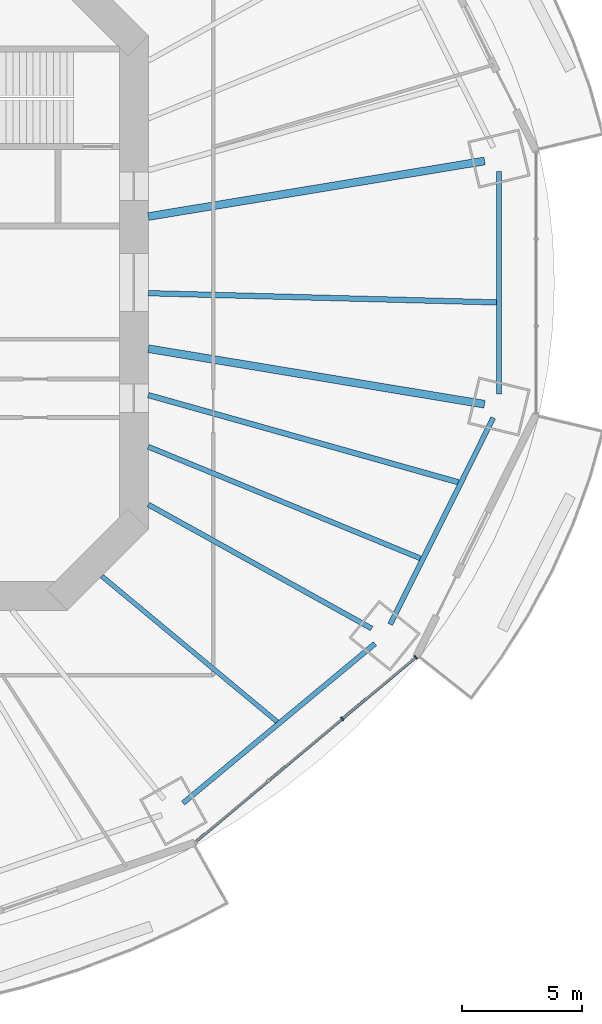
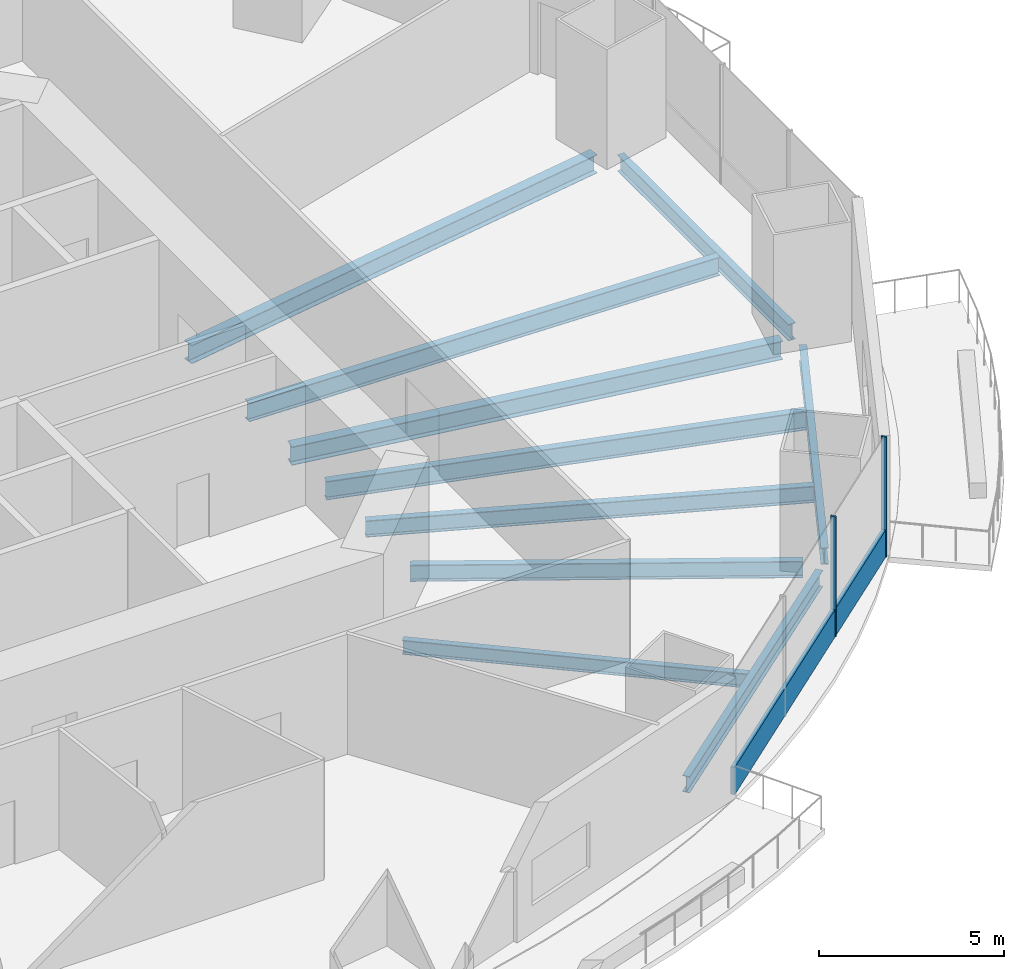
# One storey, part 5 of 18: 10 beams, 3 members, 1 element without a shape of its own.
"""IFC4 building model written with IfcOpenShell, lengths in metres."""

import ifcopenshell
import ifcopenshell.guid

model = None  # the IFC model being written
_history = None  # IfcOwnerHistory: only IFC2X3 demands one
_inside = {}  # id of a spatial element -> (the spatial element, [elements in it])
_under = {}  # id of a project, library or spatial element -> (it, [spatial elements below it])
_declared = {}  # id of a project -> (the project, [libraries it declares])
_typed = {}  # id of a type object -> (the type object, [elements of that type])
_made_of = {}  # id of a material, layer set ... -> (it, [elements and type objects made of it])


def new_model(schema):
    """Start an empty IFC model of exactly this schema.

    Asked for "IFC4X3", IfcOpenShell would pick the latest addendum, in which some entities
    have other attributes; the version numbers below select the first issue.
    IFC2X3 requires an IfcOwnerHistory on every rooted entity: one is made here for all.
    """
    global model, _history
    if schema == "IFC4X3":
        model = ifcopenshell.file(schema_version=(4, 3, 0, 0))
    else:
        model = ifcopenshell.file(schema=schema)
    _inside.clear()
    _under.clear()
    _declared.clear()
    _typed.clear()
    _made_of.clear()
    _history = None
    if model.schema == "IFC2X3":
        org = make("IfcOrganization", Name="unknown")
        user = make(
            "IfcPersonAndOrganization",
            ThePerson=make("IfcPerson", FamilyName="unknown"),
            TheOrganization=org,
        )
        app = make(
            "IfcApplication",
            ApplicationDeveloper=org,
            Version="unknown",
            ApplicationFullName="unknown",
            ApplicationIdentifier="unknown",
        )
        _history = make(
            "IfcOwnerHistory",
            OwningUser=user,
            OwningApplication=app,
            ChangeAction="ADDED",
            CreationDate=0,
        )
    return model


def make(cls, **values):
    """One entity of the class cls with the attributes given. An attribute that is None is left unset."""
    return model.create_entity(
        cls, **{name: value for name, value in values.items() if value is not None}
    )


def rooted(cls, **values):
    """An entity with a GlobalId (a new one), such as an element, a storey or a relation."""
    return make(cls, GlobalId=ifcopenshell.guid.new(), OwnerHistory=_history, **values)


def si_unit(unit_type, name, prefix=None):
    """IfcSIUnit, for example si_unit("LENGTHUNIT", "METRE", prefix="MILLI")."""
    return make("IfcSIUnit", UnitType=unit_type, Prefix=prefix, Name=name)


def assignment(units):
    """IfcUnitAssignment: the units of a project."""
    return None if units is None else make("IfcUnitAssignment", Units=units)


def point(xyz):
    """IfcCartesianPoint."""
    return None if xyz is None else make("IfcCartesianPoint", Coordinates=xyz)


def direction(xyz):
    """IfcDirection."""
    return None if xyz is None else make("IfcDirection", DirectionRatios=xyz)


def frame(location, z_axis=None, x_axis=None):
    """IfcAxis2Placement3D, a coordinate frame: its origin and axes. An axis left out is left unset."""
    return make(
        "IfcAxis2Placement3D",
        Location=point(location),
        Axis=direction(z_axis),
        RefDirection=direction(x_axis),
    )


def frame_2d(location, x_axis=None):
    """IfcAxis2Placement2D, a coordinate frame in the plane: its origin and x axis."""
    return make(
        "IfcAxis2Placement2D", Location=point(location), RefDirection=direction(x_axis)
    )


def origin():
    """The frame at (0, 0, 0) with its axes left unset."""
    return frame((0.0, 0.0, 0.0))


def origin_2d():
    """The frame at (0, 0) in the plane with its x axis left unset."""
    return frame_2d((0.0, 0.0))


def place(relative_to, where):
    """IfcLocalPlacement: puts the frame where relative to a parent placement (None: the world)."""
    return make(
        "IfcLocalPlacement", PlacementRelTo=relative_to, RelativePlacement=where
    )


def context(
    kind, dimensions, precision=None, world=None, true_north=None, identifier=None
):
    """IfcGeometricRepresentationContext, for example the 3D "Model" context."""
    return make(
        "IfcGeometricRepresentationContext",
        ContextIdentifier=identifier,
        ContextType=kind,
        CoordinateSpaceDimension=dimensions,
        Precision=precision,
        WorldCoordinateSystem=world,
        TrueNorth=true_north,
    )


def subcontext(parent, identifier, kind, view, scale=None):
    """IfcGeometricRepresentationSubContext, for example "Body" below "Model"."""
    return make(
        "IfcGeometricRepresentationSubContext",
        ContextIdentifier=identifier,
        ContextType=kind,
        ParentContext=parent,
        TargetScale=scale,
        TargetView=view,
    )


def project(units=None, contexts=None):
    """IfcProject with its units and contexts."""
    return rooted(
        "IfcProject",
        Name="project",
        RepresentationContexts=contexts,
        UnitsInContext=assignment(units),
    )


def spatial(cls, under=None, at=None, **own):
    """A site, building, storey or space (cls), placed at a placement, below another one or the project."""
    s = rooted(cls, ObjectPlacement=at, **own)
    if under is not None:
        _under.setdefault(under.id(), (under, []))[1].append(s)
    return s


def profile(cls, at=None, kind="AREA", **sizes):
    """A parametric profile (cls). Its sizes go by their IFC names, for example OverallWidth=200.0."""
    return make(cls, ProfileType=kind, Position=at, **sizes)


def rectangle(**sizes):
    """IfcRectangleProfileDef."""
    return profile("IfcRectangleProfileDef", **sizes)


def i_section(**sizes):
    """IfcIShapeProfileDef."""
    return profile("IfcIShapeProfileDef", **sizes)


def extrude(swept, where, along, depth):
    """IfcExtrudedAreaSolid: the profile swept, set in the frame where, extruded along a direction by depth."""
    return make(
        "IfcExtrudedAreaSolid",
        SweptArea=swept,
        Position=where,
        ExtrudedDirection=direction(along),
        Depth=depth,
    )


def shape(context_of_items, identifier, shape_type, items):
    """IfcShapeRepresentation: the items that make up one representation, for example the "Body"."""
    return make(
        "IfcShapeRepresentation",
        ContextOfItems=context_of_items,
        RepresentationIdentifier=identifier,
        RepresentationType=shape_type,
        Items=items,
    )


def material(Name=None, Category=None):
    """IfcMaterial."""
    return make("IfcMaterial", Name=Name, Category=Category)


def material_profile(
    of_material, cross_section, Name=None, Category=None, Priority=None
):
    """IfcMaterialProfile: a cross section and its material."""
    return make(
        "IfcMaterialProfile",
        Name=Name,
        Material=of_material,
        Profile=cross_section,
        Priority=Priority,
        Category=Category,
    )


def profile_set(profiles, Name=None, composite=None):
    """IfcMaterialProfileSet."""
    return make(
        "IfcMaterialProfileSet",
        Name=Name,
        MaterialProfiles=profiles,
        CompositeProfile=composite,
    )


def made_of(thing, what):
    """Note that an element or type object is made of a material, layer set ...; save() writes the relation."""
    if what is not None:
        _made_of.setdefault(what.id(), (what, []))[1].append(thing)
    return thing


def type_object(cls, material=None, **own):
    """A type object (cls), such as IfcWallType, which elements share."""
    return made_of(rooted(cls, **own), material)


def element(
    cls,
    number,
    at=None,
    inside=None,
    cuts=None,
    type_object=None,
    material=None,
    context=None,
    identifier="Body",
    shape_type=None,
    held_by="IfcProductDefinitionShape",
    body=None,
    shapes=None,
    **own,
):
    """One element of the class cls, such as IfcWall. Its Tag is "e" and its number.

    at: its placement. inside: the storey or other place that contains it. cuts: it is an
    opening in that element (IfcRelVoidsElement). A single representation is given by context,
    identifier, shape_type and body (its items); several are given by shapes. held_by: the class
    of the entity that holds the representations. save() writes the other relations.
    """
    e = rooted(cls, Tag="e%d" % number, ObjectPlacement=at, **own)
    if body is not None:
        shapes = [shape(context, identifier, shape_type, body)]
    if shapes is not None:
        e.Representation = make(held_by, Representations=shapes)
    if inside is not None:
        _inside.setdefault(inside.id(), (inside, []))[1].append(e)
    if cuts is not None:
        rooted(
            "IfcRelVoidsElement", RelatingBuildingElement=cuts, RelatedOpeningElement=e
        )
    if type_object is not None:
        _typed.setdefault(type_object.id(), (type_object, []))[1].append(e)
    return made_of(e, material)


def aggregate(whole, parts):
    """IfcRelAggregates: a whole, such as a stair, and the parts it consists of."""
    return rooted("IfcRelAggregates", RelatingObject=whole, RelatedObjects=parts)


def save(model, path):
    """Write the relations noted so far, then the file.

    IfcRelAggregates (storeys below a building ...), IfcRelContainedInSpatialStructure (elements
    in a storey), IfcRelDefinesByType, IfcRelAssociatesMaterial and IfcRelDeclares: one each for
    every whole, place, type object, material and project.
    """
    for whole, parts in _under.values():
        aggregate(whole, parts)
    for where, things in _inside.values():
        rooted(
            "IfcRelContainedInSpatialStructure",
            RelatedElements=things,
            RelatingStructure=where,
        )
    for kind, things in _typed.values():
        rooted("IfcRelDefinesByType", RelatedObjects=things, RelatingType=kind)
    for what, things in _made_of.values():
        rooted("IfcRelAssociatesMaterial", RelatedObjects=things, RelatingMaterial=what)
    for by, libraries in _declared.values():
        rooted("IfcRelDeclares", RelatingContext=by, RelatedDefinitions=libraries)
    model.write(path)


model = new_model("IFC4")

# Units and contexts
model_context = context("Model", 3, precision=1e-05, world=origin(), true_north=direction((0.0, 1.0)))
body_context = subcontext(model_context, "Body", "Model", "MODEL_VIEW")
ifc_project = project(units=[si_unit("LENGTHUNIT", "METRE"), si_unit("AREAUNIT", "SQUARE_METRE"), si_unit("VOLUMEUNIT", "CUBIC_METRE"), si_unit("PLANEANGLEUNIT", "RADIAN"), si_unit("MASSUNIT", "GRAM", prefix="KILO")], contexts=[model_context])

# Site, building, storey
site_placement = place(None, origin())
site = spatial("IfcSite", under=ifc_project, at=site_placement, CompositionType="ELEMENT")
building_placement = place(site_placement, origin())
building = spatial("IfcBuilding", under=site, at=building_placement, Name="Marenthal Gate Tower", CompositionType="ELEMENT")
storey_placement = place(building_placement, frame((0.0, 0.0, 140.89990234375)))
storey = spatial("IfcBuildingStorey", under=building, at=storey_placement, Name="L30", CompositionType="ELEMENT", Elevation=140.89990234375)

# Curtain wall, members
ifc_material_1 = material(Name="Aluminium and glass", Category="aluminium")
curtain_wall_type = type_object("IfcCurtainWallType", Name="Curtain wall typical low", PredefinedType="NOTDEFINED", material=ifc_material_1)
curtain_wall_placement = place(storey_placement, origin())
curtain_wall = element("IfcCurtainWall", 1, at=curtain_wall_placement, inside=storey, type_object=curtain_wall_type, Name="Curtain wall L30 bay 14", PredefinedType="NOTDEFINED")
ifc_material_2 = material(Name="Aluminium", Category="aluminium")
ifc_material_profile_1 = material_profile(ifc_material_2, rectangle(XDim=0.159912109375, YDim=0.06005859375, at=origin_2d()), Name="60x160 aluminium mullion")
ifc_profile_set_1 = profile_set([ifc_material_profile_1], Name="Aluminium")
member_type_1 = type_object("IfcMemberType", Name="Mullion 60x160 typical low", PredefinedType="MULLION", material=ifc_profile_set_1)
member_1_placement = place(storey_placement, frame((24.64892578125, -18.109619140625, 0.0), z_axis=(0.0, 0.0, 1.0), x_axis=(-0.642510826857, 0.766276606305, 0.0)))
member_1 = element("IfcMember", 2, at=member_1_placement, type_object=member_type_1, Name="Mullion L30 bay 14.3", PredefinedType="MULLION", context=body_context, shape_type="SweptSolid", body=[
    extrude(rectangle(XDim=0.159912109375, YDim=0.06005859375, at=origin_2d()), origin(), (0.0, 0.0, 1.0), 3.9501953125),
])
member_2_placement = place(storey_placement, frame((27.699951171875, -15.551513671875, 0.0), z_axis=(0.0, 0.0, 1.0), x_axis=(-0.642510826857, 0.766276606305, 0.0)))
member_2 = element("IfcMember", 3, at=member_2_placement, type_object=member_type_1, Name="Mullion L30 bay 14.4", PredefinedType="MULLION", context=body_context, shape_type="SweptSolid", body=[
    extrude(rectangle(XDim=0.159912109375, YDim=0.06005859375, at=origin_2d()), origin(), (0.0, 0.0, 1.0), 3.9501953125),
])
ifc_material_3 = material(Name="Aluminium", Category="aluminium")
ifc_material_profile_2 = material_profile(ifc_material_3, rectangle(XDim=0.1201171875, YDim=0.89990234375, at=origin_2d()), Name="120x900 aluminium transom")
ifc_profile_set_2 = profile_set([ifc_material_profile_2], Name="Aluminium")
member_type_2 = type_object("IfcMemberType", Name="Transom 120x900 typical low", PredefinedType="USERDEFINED", material=ifc_profile_set_2)
member_3_placement = place(storey_placement, frame((18.56982421875, -23.206787109375, 0.4501953125), z_axis=(0.76627636454, 0.642511115194, 0.0), x_axis=(-0.642511115194, 0.76627636454, 0.0)))
member_3 = element("IfcMember", 4, at=member_3_placement, type_object=member_type_2, Name="Transom L30 bay 14", ObjectType="TRANSOM", PredefinedType="USERDEFINED", context=body_context, shape_type="SweptSolid", body=[
    extrude(rectangle(XDim=0.1201171875, YDim=0.89990234375, at=origin_2d()), origin(), (0.0, 0.0, 1.0), 11.885009765625),
])
aggregate(curtain_wall, [member_1, member_2, member_3])

# Beams
ifc_material_4 = material(Name="Steel S355", Category="steel")
ifc_material_profile_3 = material_profile(ifc_material_4, i_section(OverallWidth=0.193115234375, OverallDepth=0.467041015625, WebThickness=0.011474609375, FlangeThickness=0.01904296875, FilletRadius=0.010009765625, at=origin_2d()), Name="W460X97")
ifc_profile_set_3 = profile_set([ifc_material_profile_3], Name="Steel S355")
beam_type_1 = type_object("IfcBeamType", Name="W460X97 beam", PredefinedType="BEAM", material=ifc_profile_set_3)
beam_1_placement = place(storey_placement, frame((21.944580078125, -18.22412109375, -0.413330078125), z_axis=(-0.769313903272, 0.638870971506, 0.0), x_axis=(-0.638870971506, -0.769313903272, 0.0)))
element("IfcBeam", 5, at=beam_1_placement, inside=storey, type_object=beam_type_1, Name="BM-L30-37", PredefinedType="BEAM", context=body_context, shape_type="SweptSolid", body=[
    extrude(i_section(OverallWidth=0.193115234375, OverallDepth=0.467041015625, WebThickness=0.011474609375, FlangeThickness=0.01904296875, FilletRadius=0.010009765625, at=origin_2d()), origin(), (0.0, 0.0, 1.0), 9.459228515625),
])
ifc_material_5 = material(Name="Steel S355", Category="steel")
ifc_material_profile_4 = material_profile(ifc_material_5, i_section(OverallWidth=0.2119140625, OverallDepth=0.5439453125, WebThickness=0.01318359375, FlangeThickness=0.021240234375, FilletRadius=0.0126953125, at=origin_2d()), Name="W530X123")
ifc_profile_set_4 = profile_set([ifc_material_profile_4], Name="Steel S355")
beam_type_2 = type_object("IfcBeamType", Name="W530X123 beam", PredefinedType="BEAM", material=ifc_profile_set_4)
beam_2_placement = place(storey_placement, frame((25.8701171875, -14.355224609375, -0.451904296875), z_axis=(-0.874396146379, 0.485212715412, 0.0), x_axis=(-0.485212715412, -0.874396146379, 0.0)))
element("IfcBeam", 6, at=beam_2_placement, inside=storey, type_object=beam_type_2, Name="BM-L30-15", PredefinedType="BEAM", context=body_context, shape_type="SweptSolid", body=[
    extrude(i_section(OverallWidth=0.2119140625, OverallDepth=0.5439453125, WebThickness=0.01318359375, FlangeThickness=0.021240234375, FilletRadius=0.0126953125, at=origin_2d()), origin(), (0.0, 0.0, 1.0), 10.6015625),
])
beam_3_placement = place(storey_placement, frame((27.8916015625, -11.444580078125, -0.451904296875), z_axis=(-0.925143041133, 0.379618694803, 0.0), x_axis=(-0.379618694803, -0.925143041133, 0.0)))
element("IfcBeam", 7, at=beam_3_placement, inside=storey, type_object=beam_type_2, Name="BM-L30-38", PredefinedType="BEAM", context=body_context, shape_type="SweptSolid", body=[
    extrude(i_section(OverallWidth=0.2119140625, OverallDepth=0.5439453125, WebThickness=0.01318359375, FlangeThickness=0.021240234375, FilletRadius=0.0126953125, at=origin_2d()), origin(), (0.0, 0.0, 1.0), 12.205078125),
])
beam_4_placement = place(storey_placement, frame((18.044189453125, -21.60107421875, -0.451904296875), z_axis=(0.769308410826, 0.638877585326, 0.0), x_axis=(-0.638877585326, 0.769308410826, 0.0)))
element("IfcBeam", 8, at=beam_4_placement, inside=storey, type_object=beam_type_2, Name="BM-L30-54", PredefinedType="BEAM", context=body_context, shape_type="SweptSolid", body=[
    extrude(i_section(OverallWidth=0.2119140625, OverallDepth=0.5439453125, WebThickness=0.01318359375, FlangeThickness=0.021240234375, FilletRadius=0.0126953125, at=origin_2d()), origin(), (0.0, 0.0, 1.0), 10.35302734375),
])
beam_5_placement = place(storey_placement, frame((26.642578125, -14.185791015625, -0.451904296875), z_axis=(0.446356728124, 0.89485511188, 0.0), x_axis=(-0.89485511188, 0.446356728124, 0.0)))
element("IfcBeam", 9, at=beam_5_placement, inside=storey, type_object=beam_type_2, Name="BM-L30-55", PredefinedType="BEAM", context=body_context, shape_type="SweptSolid", body=[
    extrude(i_section(OverallWidth=0.2119140625, OverallDepth=0.5439453125, WebThickness=0.01318359375, FlangeThickness=0.021240234375, FilletRadius=0.0126953125, at=origin_2d()), origin(), (0.0, 0.0, 1.0), 9.57568359375),
])
beam_6_placement = place(storey_placement, frame((31.151611328125, -4.61767578125, -0.451904296875), z_axis=(0.0, 1.0, 0.0), x_axis=(-1.0, 0.0, 0.0)))
element("IfcBeam", 10, at=beam_6_placement, inside=storey, type_object=beam_type_2, Name="BM-L30-56", PredefinedType="BEAM", context=body_context, shape_type="SweptSolid", body=[
    extrude(i_section(OverallWidth=0.2119140625, OverallDepth=0.5439453125, WebThickness=0.01318359375, FlangeThickness=0.021240234375, FilletRadius=0.0126953125, at=origin_2d()), origin(), (0.0, 0.0, 1.0), 9.2353515625),
])
ifc_material_6 = material(Name="Steel S355", Category="steel")
ifc_material_profile_5 = material_profile(ifc_material_6, i_section(OverallWidth=0.22900390625, OverallDepth=0.612060546875, WebThickness=0.011962890625, FlangeThickness=0.01953125, FilletRadius=0.0126953125, at=origin_2d()), Name="W610X125")
ifc_profile_set_5 = profile_set([ifc_material_profile_5], Name="Steel S355")
beam_type_3 = type_object("IfcBeamType", Name="W610X125 beam", PredefinedType="BEAM", material=ifc_profile_set_5)
beam_7_placement = place(storey_placement, frame((29.466796875, -8.2861328125, -0.48583984375), z_axis=(-0.962662543646, 0.270704316664, 0.0), x_axis=(-0.270704316664, -0.962662543646, 0.0)))
element("IfcBeam", 11, at=beam_7_placement, inside=storey, type_object=beam_type_3, Name="BM-L30-39", PredefinedType="BEAM", context=body_context, shape_type="SweptSolid", body=[
    extrude(i_section(OverallWidth=0.22900390625, OverallDepth=0.612060546875, WebThickness=0.011962890625, FlangeThickness=0.01953125, FilletRadius=0.0126953125, at=origin_2d()), origin(), (0.0, 0.0, 1.0), 13.36572265625),
])
beam_8_placement = place(storey_placement, frame((31.045654296875, -0.820556640625, -0.48583984375), z_axis=(-0.999650837546, 0.026423531071, 0.0), x_axis=(-0.026423531071, -0.999650837546, 0.0)))
element("IfcBeam", 12, at=beam_8_placement, inside=storey, type_object=beam_type_3, Name="BM-L30-40", PredefinedType="BEAM", context=body_context, shape_type="SweptSolid", body=[
    extrude(i_section(OverallWidth=0.22900390625, OverallDepth=0.612060546875, WebThickness=0.011962890625, FlangeThickness=0.01953125, FilletRadius=0.0126953125, at=origin_2d()), origin(), (0.0, 0.0, 1.0), 14.45068359375),
])
ifc_material_7 = material(Name="Steel S355", Category="steel")
ifc_material_profile_6 = material_profile(ifc_material_7, i_section(OverallWidth=0.324951171875, OverallDepth=0.612060546875, WebThickness=0.0126953125, FlangeThickness=0.01904296875, FilletRadius=0.0126953125, at=origin_2d()), Name="W610X155")
ifc_profile_set_6 = profile_set([ifc_material_profile_6], Name="Steel S355")
beam_type_4 = type_object("IfcBeamType", Name="W610X155 beam", PredefinedType="BEAM", material=ifc_profile_set_6)
for number, where, z_axis, x_axis, name in (
    (13, (30.556884765625, 5.047607421875, -0.48583984375), (-0.986630319442, -0.162974270234, 0.0), (0.162974270234, -0.986630319442, 0.0), "BM-L30-01"),
    (14, (30.556884765625, -5.047607421875, -0.48583984375), (-0.986630319442, 0.162974270234, 0.0), (-0.162974270234, -0.986630319442, 0.0), "BM-L30-16"),
):
    element("IfcBeam", number, at=place(storey_placement, frame(where, z_axis=z_axis, x_axis=x_axis)), inside=storey, type_object=beam_type_4, Name=name, PredefinedType="BEAM", context=body_context, shape_type="SweptSolid", body=[
        extrude(i_section(OverallWidth=0.324951171875, OverallDepth=0.612060546875, WebThickness=0.0126953125, FlangeThickness=0.01904296875, FilletRadius=0.0126953125, at=origin_2d()), origin(), (0.0, 0.0, 1.0), 14.14599609375),
    ])

save(model, "model.ifc")
